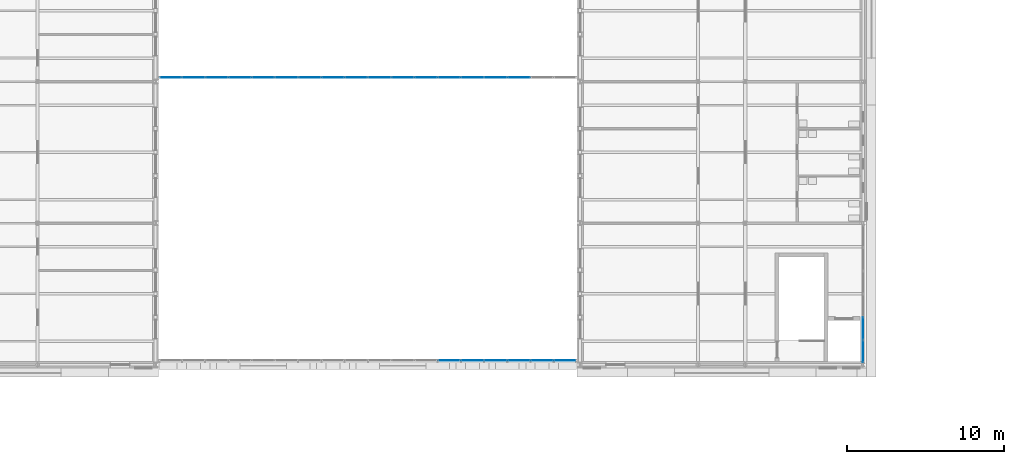
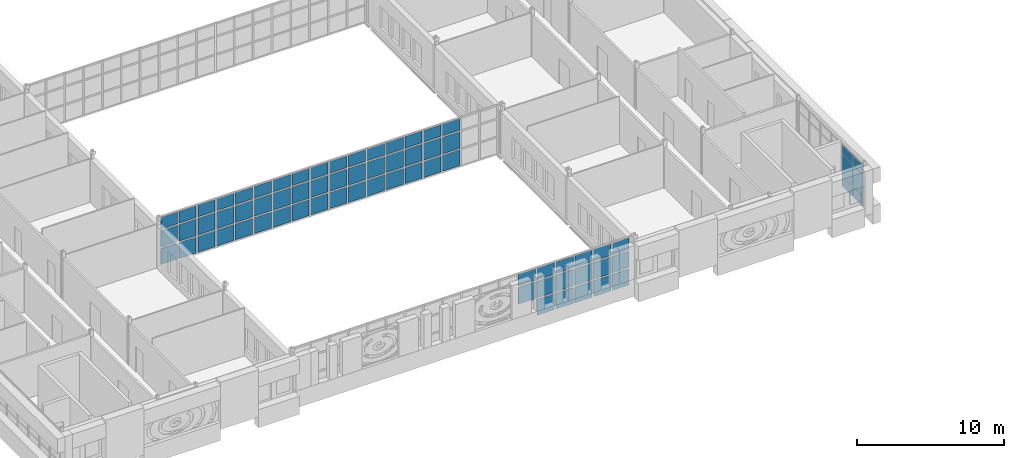
# One storey, part 89 of 154: 71 plates, 3 elements without a shape of their own.
"""IFC4 building model written with IfcOpenShell, lengths in metres."""

import ifcopenshell
import ifcopenshell.guid

model = None  # the IFC model being written
_history = None  # IfcOwnerHistory: only IFC2X3 demands one
_inside = {}  # id of a spatial element -> (the spatial element, [elements in it])
_under = {}  # id of a project, library or spatial element -> (it, [spatial elements below it])
_declared = {}  # id of a project -> (the project, [libraries it declares])
_typed = {}  # id of a type object -> (the type object, [elements of that type])
_made_of = {}  # id of a material, layer set ... -> (it, [elements and type objects made of it])


def new_model(schema):
    """Start an empty IFC model of exactly this schema.

    Asked for "IFC4X3", IfcOpenShell would pick the latest addendum, in which some entities
    have other attributes; the version numbers below select the first issue.
    IFC2X3 requires an IfcOwnerHistory on every rooted entity: one is made here for all.
    """
    global model, _history
    if schema == "IFC4X3":
        model = ifcopenshell.file(schema_version=(4, 3, 0, 0))
    else:
        model = ifcopenshell.file(schema=schema)
    _inside.clear()
    _under.clear()
    _declared.clear()
    _typed.clear()
    _made_of.clear()
    _history = None
    if model.schema == "IFC2X3":
        org = make("IfcOrganization", Name="unknown")
        user = make(
            "IfcPersonAndOrganization",
            ThePerson=make("IfcPerson", FamilyName="unknown"),
            TheOrganization=org,
        )
        app = make(
            "IfcApplication",
            ApplicationDeveloper=org,
            Version="unknown",
            ApplicationFullName="unknown",
            ApplicationIdentifier="unknown",
        )
        _history = make(
            "IfcOwnerHistory",
            OwningUser=user,
            OwningApplication=app,
            ChangeAction="ADDED",
            CreationDate=0,
        )
    return model


def make(cls, **values):
    """One entity of the class cls with the attributes given. An attribute that is None is left unset."""
    return model.create_entity(
        cls, **{name: value for name, value in values.items() if value is not None}
    )


def rooted(cls, **values):
    """An entity with a GlobalId (a new one), such as an element, a storey or a relation."""
    return make(cls, GlobalId=ifcopenshell.guid.new(), OwnerHistory=_history, **values)


def si_unit(unit_type, name, prefix=None):
    """IfcSIUnit, for example si_unit("LENGTHUNIT", "METRE", prefix="MILLI")."""
    return make("IfcSIUnit", UnitType=unit_type, Prefix=prefix, Name=name)


def assignment(units):
    """IfcUnitAssignment: the units of a project."""
    return None if units is None else make("IfcUnitAssignment", Units=units)


def point(xyz):
    """IfcCartesianPoint."""
    return None if xyz is None else make("IfcCartesianPoint", Coordinates=xyz)


def direction(xyz):
    """IfcDirection."""
    return None if xyz is None else make("IfcDirection", DirectionRatios=xyz)


def frame(location, z_axis=None, x_axis=None):
    """IfcAxis2Placement3D, a coordinate frame: its origin and axes. An axis left out is left unset."""
    return make(
        "IfcAxis2Placement3D",
        Location=point(location),
        Axis=direction(z_axis),
        RefDirection=direction(x_axis),
    )


def frame_2d(location, x_axis=None):
    """IfcAxis2Placement2D, a coordinate frame in the plane: its origin and x axis."""
    return make(
        "IfcAxis2Placement2D", Location=point(location), RefDirection=direction(x_axis)
    )


def origin():
    """The frame at (0, 0, 0) with its axes left unset."""
    return frame((0.0, 0.0, 0.0))


def origin_2d():
    """The frame at (0, 0) in the plane with its x axis left unset."""
    return frame_2d((0.0, 0.0))


def place(relative_to, where):
    """IfcLocalPlacement: puts the frame where relative to a parent placement (None: the world)."""
    return make(
        "IfcLocalPlacement", PlacementRelTo=relative_to, RelativePlacement=where
    )


def context(
    kind, dimensions, precision=None, world=None, true_north=None, identifier=None
):
    """IfcGeometricRepresentationContext, for example the 3D "Model" context."""
    return make(
        "IfcGeometricRepresentationContext",
        ContextIdentifier=identifier,
        ContextType=kind,
        CoordinateSpaceDimension=dimensions,
        Precision=precision,
        WorldCoordinateSystem=world,
        TrueNorth=true_north,
    )


def subcontext(parent, identifier, kind, view, scale=None):
    """IfcGeometricRepresentationSubContext, for example "Body" below "Model"."""
    return make(
        "IfcGeometricRepresentationSubContext",
        ContextIdentifier=identifier,
        ContextType=kind,
        ParentContext=parent,
        TargetScale=scale,
        TargetView=view,
    )


def project(units=None, contexts=None):
    """IfcProject with its units and contexts."""
    return rooted(
        "IfcProject",
        Name="project",
        RepresentationContexts=contexts,
        UnitsInContext=assignment(units),
    )


def spatial(cls, under=None, at=None, **own):
    """A site, building, storey or space (cls), placed at a placement, below another one or the project."""
    s = rooted(cls, ObjectPlacement=at, **own)
    if under is not None:
        _under.setdefault(under.id(), (under, []))[1].append(s)
    return s


def profile(cls, at=None, kind="AREA", **sizes):
    """A parametric profile (cls). Its sizes go by their IFC names, for example OverallWidth=200.0."""
    return make(cls, ProfileType=kind, Position=at, **sizes)


def rectangle(**sizes):
    """IfcRectangleProfileDef."""
    return profile("IfcRectangleProfileDef", **sizes)


def extrude(swept, where, along, depth):
    """IfcExtrudedAreaSolid: the profile swept, set in the frame where, extruded along a direction by depth."""
    return make(
        "IfcExtrudedAreaSolid",
        SweptArea=swept,
        Position=where,
        ExtrudedDirection=direction(along),
        Depth=depth,
    )


def shape(context_of_items, identifier, shape_type, items):
    """IfcShapeRepresentation: the items that make up one representation, for example the "Body"."""
    return make(
        "IfcShapeRepresentation",
        ContextOfItems=context_of_items,
        RepresentationIdentifier=identifier,
        RepresentationType=shape_type,
        Items=items,
    )


def material(Name=None, Category=None):
    """IfcMaterial."""
    return make("IfcMaterial", Name=Name, Category=Category)


def layer(
    of_material, thickness, ventilated=None, Name=None, Category=None, Priority=None
):
    """IfcMaterialLayer: one layer of a wall or slab, of a material (None: an air gap)."""
    return make(
        "IfcMaterialLayer",
        Material=of_material,
        LayerThickness=thickness,
        IsVentilated=ventilated,
        Name=Name,
        Category=Category,
        Priority=Priority,
    )


def layer_set(layers, Name=None):
    """IfcMaterialLayerSet."""
    return make("IfcMaterialLayerSet", MaterialLayers=layers, LayerSetName=Name)


def made_of(thing, what):
    """Note that an element or type object is made of a material, layer set ...; save() writes the relation."""
    if what is not None:
        _made_of.setdefault(what.id(), (what, []))[1].append(thing)
    return thing


def type_object(cls, material=None, **own):
    """A type object (cls), such as IfcWallType, which elements share."""
    return made_of(rooted(cls, **own), material)


def element(
    cls,
    number,
    at=None,
    inside=None,
    cuts=None,
    type_object=None,
    material=None,
    context=None,
    identifier="Body",
    shape_type=None,
    held_by="IfcProductDefinitionShape",
    body=None,
    shapes=None,
    **own,
):
    """One element of the class cls, such as IfcWall. Its Tag is "e" and its number.

    at: its placement. inside: the storey or other place that contains it. cuts: it is an
    opening in that element (IfcRelVoidsElement). A single representation is given by context,
    identifier, shape_type and body (its items); several are given by shapes. held_by: the class
    of the entity that holds the representations. save() writes the other relations.
    """
    e = rooted(cls, Tag="e%d" % number, ObjectPlacement=at, **own)
    if body is not None:
        shapes = [shape(context, identifier, shape_type, body)]
    if shapes is not None:
        e.Representation = make(held_by, Representations=shapes)
    if inside is not None:
        _inside.setdefault(inside.id(), (inside, []))[1].append(e)
    if cuts is not None:
        rooted(
            "IfcRelVoidsElement", RelatingBuildingElement=cuts, RelatedOpeningElement=e
        )
    if type_object is not None:
        _typed.setdefault(type_object.id(), (type_object, []))[1].append(e)
    return made_of(e, material)


def aggregate(whole, parts):
    """IfcRelAggregates: a whole, such as a stair, and the parts it consists of."""
    return rooted("IfcRelAggregates", RelatingObject=whole, RelatedObjects=parts)


def save(model, path):
    """Write the relations noted so far, then the file.

    IfcRelAggregates (storeys below a building ...), IfcRelContainedInSpatialStructure (elements
    in a storey), IfcRelDefinesByType, IfcRelAssociatesMaterial and IfcRelDeclares: one each for
    every whole, place, type object, material and project.
    """
    for whole, parts in _under.values():
        aggregate(whole, parts)
    for where, things in _inside.values():
        rooted(
            "IfcRelContainedInSpatialStructure",
            RelatedElements=things,
            RelatingStructure=where,
        )
    for kind, things in _typed.values():
        rooted("IfcRelDefinesByType", RelatedObjects=things, RelatingType=kind)
    for what, things in _made_of.values():
        rooted("IfcRelAssociatesMaterial", RelatedObjects=things, RelatingMaterial=what)
    for by, libraries in _declared.values():
        rooted("IfcRelDeclares", RelatingContext=by, RelatedDefinitions=libraries)
    model.write(path)


model = new_model("IFC4")

# Units and contexts
model_context = context("Model", 3, precision=1e-05, world=origin(), true_north=direction((0.0, 1.0)))
body_context = subcontext(model_context, "Body", "Model", "MODEL_VIEW")
ifc_project = project(units=[si_unit("LENGTHUNIT", "METRE"), si_unit("AREAUNIT", "SQUARE_METRE"), si_unit("VOLUMEUNIT", "CUBIC_METRE"), si_unit("PLANEANGLEUNIT", "RADIAN"), si_unit("MASSUNIT", "GRAM", prefix="KILO")], contexts=[model_context])

# Site, building, storey
site_placement = place(None, origin())
site = spatial("IfcSite", under=ifc_project, at=site_placement, CompositionType="ELEMENT")
building_placement = place(site_placement, origin())
building = spatial("IfcBuilding", under=site, at=building_placement, Name="Golden Quay Civic Hall", CompositionType="ELEMENT")
storey_placement = place(building_placement, frame((0.0, 0.0, 14.39990234375)))
storey = spatial("IfcBuildingStorey", under=building, at=storey_placement, Name="L03", CompositionType="ELEMENT", Elevation=14.39990234375)

# Curtain wall, plates
ifc_material_1 = material(Name="Glass, laminated double glazed", Category="glass")
ifc_layer_1 = layer(ifc_material_1, 0.199951171875)
ifc_layer_set_1 = layer_set([ifc_layer_1], Name="Glazed core strip curtain wall")
curtain_wall_type_1 = type_object("IfcCurtainWallType", Name="Glazed core strip curtain wall", PredefinedType="NOTDEFINED", material=ifc_layer_set_1)
curtain_wall_1_placement = place(storey_placement, origin())
curtain_wall_1 = element("IfcCurtainWall", 1, at=curtain_wall_1_placement, inside=storey, type_object=curtain_wall_type_1, Name="Glazed core strip curtain wall L03 4", PredefinedType="NOTDEFINED")
ifc_material_2 = material(Name="Glass, laminated double glazed", Category="glass")
ifc_layer_2 = layer(ifc_material_2, 0.028076171875)
ifc_layer_set_2 = layer_set([ifc_layer_2], Name="Double glazed curtain wall panel 28")
plate_type_1 = type_object("IfcPlateType", Name="Double glazed curtain wall panel 28", PredefinedType="CURTAIN_PANEL", material=ifc_layer_set_2)
plate_1_placement = place(storey_placement, frame((117.0, 2.297607421875, 0.06005859375), z_axis=(0.0, 0.0, 1.0), x_axis=(0.0, -1.0, 0.0)))
plate_1 = element("IfcPlate", 2, at=plate_1_placement, type_object=plate_type_1, Name="CW2 panel 5.1", PredefinedType="CURTAIN_PANEL", context=body_context, shape_type="SweptSolid", body=[
    extrude(rectangle(XDim=1.408447265625, YDim=0.028076171875, at=origin_2d()), origin(), (0.0, 0.0, 1.0), 0.81005859375),
])
plate_2_placement = place(storey_placement, frame((117.0, 2.297607421875, 0.93017578125), z_axis=(0.0, 0.0, 1.0), x_axis=(0.0, -1.0, 0.0)))
plate_2 = element("IfcPlate", 3, at=plate_2_placement, type_object=plate_type_1, Name="CW2 panel 5.2", PredefinedType="CURTAIN_PANEL", context=body_context, shape_type="SweptSolid", body=[
    extrude(rectangle(XDim=1.408447265625, YDim=0.028076171875, at=origin_2d()), origin(), (0.0, 0.0, 1.0), 1.739990234375),
])
plate_3_placement = place(storey_placement, frame((117.0, 2.297607421875, 2.72998046875), z_axis=(0.0, 0.0, 1.0), x_axis=(0.0, -1.0, 0.0)))
plate_3 = element("IfcPlate", 4, at=plate_3_placement, type_object=plate_type_1, Name="CW2 panel 5.3", PredefinedType="CURTAIN_PANEL", context=body_context, shape_type="SweptSolid", body=[
    extrude(rectangle(XDim=1.408447265625, YDim=0.028076171875, at=origin_2d()), origin(), (0.0, 0.0, 1.0), 0.760009765625),
])
plate_4_placement = place(storey_placement, frame((117.0, 0.84423828125, 0.06005859375), z_axis=(0.0, 0.0, 1.0), x_axis=(0.0, -1.0, 0.0)))
plate_4 = element("IfcPlate", 5, at=plate_4_placement, type_object=plate_type_1, Name="CW2 panel 6.1", PredefinedType="CURTAIN_PANEL", context=body_context, shape_type="SweptSolid", body=[
    extrude(rectangle(XDim=1.37841796875, YDim=0.028076171875, at=origin_2d()), origin(), (0.0, 0.0, 1.0), 0.81005859375),
])
plate_5_placement = place(storey_placement, frame((117.0, 0.84423828125, 0.93017578125), z_axis=(0.0, 0.0, 1.0), x_axis=(0.0, -1.0, 0.0)))
plate_5 = element("IfcPlate", 6, at=plate_5_placement, type_object=plate_type_1, Name="CW2 panel 6.2", PredefinedType="CURTAIN_PANEL", context=body_context, shape_type="SweptSolid", body=[
    extrude(rectangle(XDim=1.37841796875, YDim=0.028076171875, at=origin_2d()), origin(), (0.0, 0.0, 1.0), 1.739990234375),
])
plate_6_placement = place(storey_placement, frame((117.0, 0.84423828125, 2.72998046875), z_axis=(0.0, 0.0, 1.0), x_axis=(0.0, -1.0, 0.0)))
plate_6 = element("IfcPlate", 7, at=plate_6_placement, type_object=plate_type_1, Name="CW2 panel 6.3", PredefinedType="CURTAIN_PANEL", context=body_context, shape_type="SweptSolid", body=[
    extrude(rectangle(XDim=1.37841796875, YDim=0.028076171875, at=origin_2d()), origin(), (0.0, 0.0, 1.0), 0.760009765625),
])
aggregate(curtain_wall_1, [plate_1, plate_2, plate_3, plate_4, plate_5, plate_6])

ifc_material_3 = material(Name="Fire-resisting glass and steel", Category="steel")
curtain_wall_type_2 = type_object("IfcCurtainWallType", Name="Fire-resisting glazed curtain wall EI 120", PredefinedType="NOTDEFINED", material=ifc_material_3)
curtain_wall_2_placement = place(storey_placement, origin())
curtain_wall_2 = element("IfcCurtainWall", 8, at=curtain_wall_2_placement, inside=storey, type_object=curtain_wall_type_2, Name="CW3 curtain wall", PredefinedType="NOTDEFINED")
ifc_material_4 = material(Name="Fire-resisting laminated glass", Category="glass")
ifc_layer_3 = layer(ifc_material_4, 0.0400390625)
ifc_layer_set_3 = layer_set([ifc_layer_3], Name="Fire-resisting glazed panel 40")
plate_type_2 = type_object("IfcPlateType", Name="Fire-resisting glazed panel 40", PredefinedType="CURTAIN_PANEL", material=ifc_layer_set_3)
plate_7_placement = place(storey_placement, frame((72.968994140625, 18.27001953125, -0.080078125), z_axis=(0.0, 0.0, 1.0), x_axis=(1.0, 0.0, 0.0)))
plate_7 = element("IfcPlate", 9, at=plate_7_placement, type_object=plate_type_2, Name="CW3 panel 1.1", PredefinedType="CURTAIN_PANEL", context=body_context, shape_type="SweptSolid", body=[
    extrude(rectangle(XDim=1.2978515625, YDim=0.0400390625, at=origin_2d()), origin(), (0.0, 0.0, 1.0), 1.320068359375),
])
plate_8_placement = place(storey_placement, frame((72.968994140625, 18.27001953125, 1.360107421875), z_axis=(0.0, 0.0, 1.0), x_axis=(1.0, 0.0, 0.0)))
plate_8 = element("IfcPlate", 10, at=plate_8_placement, type_object=plate_type_2, Name="CW3 panel 1.2", PredefinedType="CURTAIN_PANEL", context=body_context, shape_type="SweptSolid", body=[
    extrude(rectangle(XDim=1.2978515625, YDim=0.0400390625, at=origin_2d()), origin(), (0.0, 0.0, 1.0), 1.3798828125),
])
plate_9_placement = place(storey_placement, frame((72.968994140625, 18.27001953125, 2.8603515625), z_axis=(0.0, 0.0, 1.0), x_axis=(1.0, 0.0, 0.0)))
plate_9 = element("IfcPlate", 11, at=plate_9_placement, type_object=plate_type_2, Name="CW3 panel 1.3", PredefinedType="CURTAIN_PANEL", context=body_context, shape_type="SweptSolid", body=[
    extrude(rectangle(XDim=1.2978515625, YDim=0.0400390625, at=origin_2d()), origin(), (0.0, 0.0, 1.0), 0.969970703125),
])
plate_10_placement = place(storey_placement, frame((74.416748046875, 18.27001953125, -0.080078125), z_axis=(0.0, 0.0, 1.0), x_axis=(1.0, 0.0, 0.0)))
plate_10 = element("IfcPlate", 12, at=plate_10_placement, type_object=plate_type_2, Name="CW3 panel 2.1", PredefinedType="CURTAIN_PANEL", context=body_context, shape_type="SweptSolid", body=[
    extrude(rectangle(XDim=1.357666015625, YDim=0.0400390625, at=origin_2d()), origin(), (0.0, 0.0, 1.0), 1.320068359375),
])
plate_11_placement = place(storey_placement, frame((74.416748046875, 18.27001953125, 1.360107421875), z_axis=(0.0, 0.0, 1.0), x_axis=(1.0, 0.0, 0.0)))
plate_11 = element("IfcPlate", 13, at=plate_11_placement, type_object=plate_type_2, Name="CW3 panel 2.2", PredefinedType="CURTAIN_PANEL", context=body_context, shape_type="SweptSolid", body=[
    extrude(rectangle(XDim=1.357666015625, YDim=0.0400390625, at=origin_2d()), origin(), (0.0, 0.0, 1.0), 1.3798828125),
])
plate_12_placement = place(storey_placement, frame((74.416748046875, 18.27001953125, 2.8603515625), z_axis=(0.0, 0.0, 1.0), x_axis=(1.0, 0.0, 0.0)))
plate_12 = element("IfcPlate", 14, at=plate_12_placement, type_object=plate_type_2, Name="CW3 panel 2.3", PredefinedType="CURTAIN_PANEL", context=body_context, shape_type="SweptSolid", body=[
    extrude(rectangle(XDim=1.357666015625, YDim=0.0400390625, at=origin_2d()), origin(), (0.0, 0.0, 1.0), 0.969970703125),
])
plate_13_placement = place(storey_placement, frame((75.89453125, 18.27001953125, -0.080078125), z_axis=(0.0, 0.0, 1.0), x_axis=(1.0, 0.0, 0.0)))
plate_13 = element("IfcPlate", 15, at=plate_13_placement, type_object=plate_type_2, Name="CW3 panel 3.1", PredefinedType="CURTAIN_PANEL", context=body_context, shape_type="SweptSolid", body=[
    extrude(rectangle(XDim=1.357666015625, YDim=0.0400390625, at=origin_2d()), origin(), (0.0, 0.0, 1.0), 1.320068359375),
])
plate_14_placement = place(storey_placement, frame((75.89453125, 18.27001953125, 1.360107421875), z_axis=(0.0, 0.0, 1.0), x_axis=(1.0, 0.0, 0.0)))
plate_14 = element("IfcPlate", 16, at=plate_14_placement, type_object=plate_type_2, Name="CW3 panel 3.2", PredefinedType="CURTAIN_PANEL", context=body_context, shape_type="SweptSolid", body=[
    extrude(rectangle(XDim=1.357666015625, YDim=0.0400390625, at=origin_2d()), origin(), (0.0, 0.0, 1.0), 1.3798828125),
])
plate_15_placement = place(storey_placement, frame((75.89453125, 18.27001953125, 2.8603515625), z_axis=(0.0, 0.0, 1.0), x_axis=(1.0, 0.0, 0.0)))
plate_15 = element("IfcPlate", 17, at=plate_15_placement, type_object=plate_type_2, Name="CW3 panel 3.3", PredefinedType="CURTAIN_PANEL", context=body_context, shape_type="SweptSolid", body=[
    extrude(rectangle(XDim=1.357666015625, YDim=0.0400390625, at=origin_2d()), origin(), (0.0, 0.0, 1.0), 0.969970703125),
])
plate_16_placement = place(storey_placement, frame((77.372314453125, 18.27001953125, -0.080078125), z_axis=(0.0, 0.0, 1.0), x_axis=(1.0, 0.0, 0.0)))
plate_16 = element("IfcPlate", 18, at=plate_16_placement, type_object=plate_type_2, Name="CW3 panel 4.1", PredefinedType="CURTAIN_PANEL", context=body_context, shape_type="SweptSolid", body=[
    extrude(rectangle(XDim=1.357666015625, YDim=0.0400390625, at=origin_2d()), origin(), (0.0, 0.0, 1.0), 1.320068359375),
])
plate_17_placement = place(storey_placement, frame((77.372314453125, 18.27001953125, 1.360107421875), z_axis=(0.0, 0.0, 1.0), x_axis=(1.0, 0.0, 0.0)))
plate_17 = element("IfcPlate", 19, at=plate_17_placement, type_object=plate_type_2, Name="CW3 panel 4.2", PredefinedType="CURTAIN_PANEL", context=body_context, shape_type="SweptSolid", body=[
    extrude(rectangle(XDim=1.357666015625, YDim=0.0400390625, at=origin_2d()), origin(), (0.0, 0.0, 1.0), 1.3798828125),
])
plate_18_placement = place(storey_placement, frame((77.372314453125, 18.27001953125, 2.8603515625), z_axis=(0.0, 0.0, 1.0), x_axis=(1.0, 0.0, 0.0)))
plate_18 = element("IfcPlate", 20, at=plate_18_placement, type_object=plate_type_2, Name="CW3 panel 4.3", PredefinedType="CURTAIN_PANEL", context=body_context, shape_type="SweptSolid", body=[
    extrude(rectangle(XDim=1.357666015625, YDim=0.0400390625, at=origin_2d()), origin(), (0.0, 0.0, 1.0), 0.969970703125),
])
plate_19_placement = place(storey_placement, frame((78.85009765625, 18.27001953125, -0.080078125), z_axis=(0.0, 0.0, 1.0), x_axis=(1.0, 0.0, 0.0)))
plate_19 = element("IfcPlate", 21, at=plate_19_placement, type_object=plate_type_2, Name="CW3 panel 5.1", PredefinedType="CURTAIN_PANEL", context=body_context, shape_type="SweptSolid", body=[
    extrude(rectangle(XDim=1.357666015625, YDim=0.0400390625, at=origin_2d()), origin(), (0.0, 0.0, 1.0), 1.320068359375),
])
plate_20_placement = place(storey_placement, frame((78.85009765625, 18.27001953125, 1.360107421875), z_axis=(0.0, 0.0, 1.0), x_axis=(1.0, 0.0, 0.0)))
plate_20 = element("IfcPlate", 22, at=plate_20_placement, type_object=plate_type_2, Name="CW3 panel 5.2", PredefinedType="CURTAIN_PANEL", context=body_context, shape_type="SweptSolid", body=[
    extrude(rectangle(XDim=1.357666015625, YDim=0.0400390625, at=origin_2d()), origin(), (0.0, 0.0, 1.0), 1.3798828125),
])
plate_21_placement = place(storey_placement, frame((78.85009765625, 18.27001953125, 2.8603515625), z_axis=(0.0, 0.0, 1.0), x_axis=(1.0, 0.0, 0.0)))
plate_21 = element("IfcPlate", 23, at=plate_21_placement, type_object=plate_type_2, Name="CW3 panel 5.3", PredefinedType="CURTAIN_PANEL", context=body_context, shape_type="SweptSolid", body=[
    extrude(rectangle(XDim=1.357666015625, YDim=0.0400390625, at=origin_2d()), origin(), (0.0, 0.0, 1.0), 0.969970703125),
])
plate_22_placement = place(storey_placement, frame((80.327880859375, 18.27001953125, -0.080078125), z_axis=(0.0, 0.0, 1.0), x_axis=(1.0, 0.0, 0.0)))
plate_22 = element("IfcPlate", 24, at=plate_22_placement, type_object=plate_type_2, Name="CW3 panel 6.1", PredefinedType="CURTAIN_PANEL", context=body_context, shape_type="SweptSolid", body=[
    extrude(rectangle(XDim=1.357666015625, YDim=0.0400390625, at=origin_2d()), origin(), (0.0, 0.0, 1.0), 1.320068359375),
])
plate_23_placement = place(storey_placement, frame((80.327880859375, 18.27001953125, 1.360107421875), z_axis=(0.0, 0.0, 1.0), x_axis=(1.0, 0.0, 0.0)))
plate_23 = element("IfcPlate", 25, at=plate_23_placement, type_object=plate_type_2, Name="CW3 panel 6.2", PredefinedType="CURTAIN_PANEL", context=body_context, shape_type="SweptSolid", body=[
    extrude(rectangle(XDim=1.357666015625, YDim=0.0400390625, at=origin_2d()), origin(), (0.0, 0.0, 1.0), 1.3798828125),
])
plate_24_placement = place(storey_placement, frame((80.327880859375, 18.27001953125, 2.8603515625), z_axis=(0.0, 0.0, 1.0), x_axis=(1.0, 0.0, 0.0)))
plate_24 = element("IfcPlate", 26, at=plate_24_placement, type_object=plate_type_2, Name="CW3 panel 6.3", PredefinedType="CURTAIN_PANEL", context=body_context, shape_type="SweptSolid", body=[
    extrude(rectangle(XDim=1.357666015625, YDim=0.0400390625, at=origin_2d()), origin(), (0.0, 0.0, 1.0), 0.969970703125),
])
plate_25_placement = place(storey_placement, frame((81.8056640625, 18.27001953125, -0.080078125), z_axis=(0.0, 0.0, 1.0), x_axis=(1.0, 0.0, 0.0)))
plate_25 = element("IfcPlate", 27, at=plate_25_placement, type_object=plate_type_2, Name="CW3 panel 7.1", PredefinedType="CURTAIN_PANEL", context=body_context, shape_type="SweptSolid", body=[
    extrude(rectangle(XDim=1.357666015625, YDim=0.0400390625, at=origin_2d()), origin(), (0.0, 0.0, 1.0), 1.320068359375),
])
plate_26_placement = place(storey_placement, frame((81.8056640625, 18.27001953125, 1.360107421875), z_axis=(0.0, 0.0, 1.0), x_axis=(1.0, 0.0, 0.0)))
plate_26 = element("IfcPlate", 28, at=plate_26_placement, type_object=plate_type_2, Name="CW3 panel 7.2", PredefinedType="CURTAIN_PANEL", context=body_context, shape_type="SweptSolid", body=[
    extrude(rectangle(XDim=1.357666015625, YDim=0.0400390625, at=origin_2d()), origin(), (0.0, 0.0, 1.0), 1.3798828125),
])
plate_27_placement = place(storey_placement, frame((81.8056640625, 18.27001953125, 2.8603515625), z_axis=(0.0, 0.0, 1.0), x_axis=(1.0, 0.0, 0.0)))
plate_27 = element("IfcPlate", 29, at=plate_27_placement, type_object=plate_type_2, Name="CW3 panel 7.3", PredefinedType="CURTAIN_PANEL", context=body_context, shape_type="SweptSolid", body=[
    extrude(rectangle(XDim=1.357666015625, YDim=0.0400390625, at=origin_2d()), origin(), (0.0, 0.0, 1.0), 0.969970703125),
])
plate_28_placement = place(storey_placement, frame((83.283447265625, 18.27001953125, -0.080078125), z_axis=(0.0, 0.0, 1.0), x_axis=(1.0, 0.0, 0.0)))
plate_28 = element("IfcPlate", 30, at=plate_28_placement, type_object=plate_type_2, Name="CW3 panel 8.1", PredefinedType="CURTAIN_PANEL", context=body_context, shape_type="SweptSolid", body=[
    extrude(rectangle(XDim=1.357666015625, YDim=0.0400390625, at=origin_2d()), origin(), (0.0, 0.0, 1.0), 1.320068359375),
])
plate_29_placement = place(storey_placement, frame((83.283447265625, 18.27001953125, 1.360107421875), z_axis=(0.0, 0.0, 1.0), x_axis=(1.0, 0.0, 0.0)))
plate_29 = element("IfcPlate", 31, at=plate_29_placement, type_object=plate_type_2, Name="CW3 panel 8.2", PredefinedType="CURTAIN_PANEL", context=body_context, shape_type="SweptSolid", body=[
    extrude(rectangle(XDim=1.357666015625, YDim=0.0400390625, at=origin_2d()), origin(), (0.0, 0.0, 1.0), 1.3798828125),
])
plate_30_placement = place(storey_placement, frame((83.283447265625, 18.27001953125, 2.8603515625), z_axis=(0.0, 0.0, 1.0), x_axis=(1.0, 0.0, 0.0)))
plate_30 = element("IfcPlate", 32, at=plate_30_placement, type_object=plate_type_2, Name="CW3 panel 8.3", PredefinedType="CURTAIN_PANEL", context=body_context, shape_type="SweptSolid", body=[
    extrude(rectangle(XDim=1.357666015625, YDim=0.0400390625, at=origin_2d()), origin(), (0.0, 0.0, 1.0), 0.969970703125),
])
plate_31_placement = place(storey_placement, frame((84.76123046875, 18.27001953125, -0.080078125), z_axis=(0.0, 0.0, 1.0), x_axis=(1.0, 0.0, 0.0)))
plate_31 = element("IfcPlate", 33, at=plate_31_placement, type_object=plate_type_2, Name="CW3 panel 9.1", PredefinedType="CURTAIN_PANEL", context=body_context, shape_type="SweptSolid", body=[
    extrude(rectangle(XDim=1.357666015625, YDim=0.0400390625, at=origin_2d()), origin(), (0.0, 0.0, 1.0), 1.320068359375),
])
plate_32_placement = place(storey_placement, frame((84.76123046875, 18.27001953125, 1.360107421875), z_axis=(0.0, 0.0, 1.0), x_axis=(1.0, 0.0, 0.0)))
plate_32 = element("IfcPlate", 34, at=plate_32_placement, type_object=plate_type_2, Name="CW3 panel 9.2", PredefinedType="CURTAIN_PANEL", context=body_context, shape_type="SweptSolid", body=[
    extrude(rectangle(XDim=1.357666015625, YDim=0.0400390625, at=origin_2d()), origin(), (0.0, 0.0, 1.0), 1.3798828125),
])
plate_33_placement = place(storey_placement, frame((84.76123046875, 18.27001953125, 2.8603515625), z_axis=(0.0, 0.0, 1.0), x_axis=(1.0, 0.0, 0.0)))
plate_33 = element("IfcPlate", 35, at=plate_33_placement, type_object=plate_type_2, Name="CW3 panel 9.3", PredefinedType="CURTAIN_PANEL", context=body_context, shape_type="SweptSolid", body=[
    extrude(rectangle(XDim=1.357666015625, YDim=0.0400390625, at=origin_2d()), origin(), (0.0, 0.0, 1.0), 0.969970703125),
])
plate_34_placement = place(storey_placement, frame((86.23876953125, 18.27001953125, -0.080078125), z_axis=(0.0, 0.0, 1.0), x_axis=(1.0, 0.0, 0.0)))
plate_34 = element("IfcPlate", 36, at=plate_34_placement, type_object=plate_type_2, Name="CW3 panel 10.1", PredefinedType="CURTAIN_PANEL", context=body_context, shape_type="SweptSolid", body=[
    extrude(rectangle(XDim=1.357666015625, YDim=0.0400390625, at=origin_2d()), origin(), (0.0, 0.0, 1.0), 1.320068359375),
])
plate_35_placement = place(storey_placement, frame((86.23876953125, 18.27001953125, 1.360107421875), z_axis=(0.0, 0.0, 1.0), x_axis=(1.0, 0.0, 0.0)))
plate_35 = element("IfcPlate", 37, at=plate_35_placement, type_object=plate_type_2, Name="CW3 panel 10.2", PredefinedType="CURTAIN_PANEL", context=body_context, shape_type="SweptSolid", body=[
    extrude(rectangle(XDim=1.357666015625, YDim=0.0400390625, at=origin_2d()), origin(), (0.0, 0.0, 1.0), 1.3798828125),
])
plate_36_placement = place(storey_placement, frame((86.23876953125, 18.27001953125, 2.8603515625), z_axis=(0.0, 0.0, 1.0), x_axis=(1.0, 0.0, 0.0)))
plate_36 = element("IfcPlate", 38, at=plate_36_placement, type_object=plate_type_2, Name="CW3 panel 10.3", PredefinedType="CURTAIN_PANEL", context=body_context, shape_type="SweptSolid", body=[
    extrude(rectangle(XDim=1.357666015625, YDim=0.0400390625, at=origin_2d()), origin(), (0.0, 0.0, 1.0), 0.969970703125),
])
plate_37_placement = place(storey_placement, frame((87.716552734375, 18.27001953125, -0.080078125), z_axis=(0.0, 0.0, 1.0), x_axis=(1.0, 0.0, 0.0)))
plate_37 = element("IfcPlate", 39, at=plate_37_placement, type_object=plate_type_2, Name="CW3 panel 11.1", PredefinedType="CURTAIN_PANEL", context=body_context, shape_type="SweptSolid", body=[
    extrude(rectangle(XDim=1.357666015625, YDim=0.0400390625, at=origin_2d()), origin(), (0.0, 0.0, 1.0), 1.320068359375),
])
plate_38_placement = place(storey_placement, frame((87.716552734375, 18.27001953125, 1.360107421875), z_axis=(0.0, 0.0, 1.0), x_axis=(1.0, 0.0, 0.0)))
plate_38 = element("IfcPlate", 40, at=plate_38_placement, type_object=plate_type_2, Name="CW3 panel 11.2", PredefinedType="CURTAIN_PANEL", context=body_context, shape_type="SweptSolid", body=[
    extrude(rectangle(XDim=1.357666015625, YDim=0.0400390625, at=origin_2d()), origin(), (0.0, 0.0, 1.0), 1.3798828125),
])
plate_39_placement = place(storey_placement, frame((87.716552734375, 18.27001953125, 2.8603515625), z_axis=(0.0, 0.0, 1.0), x_axis=(1.0, 0.0, 0.0)))
plate_39 = element("IfcPlate", 41, at=plate_39_placement, type_object=plate_type_2, Name="CW3 panel 11.3", PredefinedType="CURTAIN_PANEL", context=body_context, shape_type="SweptSolid", body=[
    extrude(rectangle(XDim=1.357666015625, YDim=0.0400390625, at=origin_2d()), origin(), (0.0, 0.0, 1.0), 0.969970703125),
])
plate_40_placement = place(storey_placement, frame((89.1943359375, 18.27001953125, -0.080078125), z_axis=(0.0, 0.0, 1.0), x_axis=(1.0, 0.0, 0.0)))
plate_40 = element("IfcPlate", 42, at=plate_40_placement, type_object=plate_type_2, Name="CW3 panel 12.1", PredefinedType="CURTAIN_PANEL", context=body_context, shape_type="SweptSolid", body=[
    extrude(rectangle(XDim=1.357666015625, YDim=0.0400390625, at=origin_2d()), origin(), (0.0, 0.0, 1.0), 1.320068359375),
])
plate_41_placement = place(storey_placement, frame((89.1943359375, 18.27001953125, 1.360107421875), z_axis=(0.0, 0.0, 1.0), x_axis=(1.0, 0.0, 0.0)))
plate_41 = element("IfcPlate", 43, at=plate_41_placement, type_object=plate_type_2, Name="CW3 panel 12.2", PredefinedType="CURTAIN_PANEL", context=body_context, shape_type="SweptSolid", body=[
    extrude(rectangle(XDim=1.357666015625, YDim=0.0400390625, at=origin_2d()), origin(), (0.0, 0.0, 1.0), 1.3798828125),
])
plate_42_placement = place(storey_placement, frame((89.1943359375, 18.27001953125, 2.8603515625), z_axis=(0.0, 0.0, 1.0), x_axis=(1.0, 0.0, 0.0)))
plate_42 = element("IfcPlate", 44, at=plate_42_placement, type_object=plate_type_2, Name="CW3 panel 12.3", PredefinedType="CURTAIN_PANEL", context=body_context, shape_type="SweptSolid", body=[
    extrude(rectangle(XDim=1.357666015625, YDim=0.0400390625, at=origin_2d()), origin(), (0.0, 0.0, 1.0), 0.969970703125),
])
plate_43_placement = place(storey_placement, frame((90.672119140625, 18.27001953125, -0.080078125), z_axis=(0.0, 0.0, 1.0), x_axis=(1.0, 0.0, 0.0)))
plate_43 = element("IfcPlate", 45, at=plate_43_placement, type_object=plate_type_2, Name="CW3 panel 13.1", PredefinedType="CURTAIN_PANEL", context=body_context, shape_type="SweptSolid", body=[
    extrude(rectangle(XDim=1.357666015625, YDim=0.0400390625, at=origin_2d()), origin(), (0.0, 0.0, 1.0), 1.320068359375),
])
plate_44_placement = place(storey_placement, frame((90.672119140625, 18.27001953125, 1.360107421875), z_axis=(0.0, 0.0, 1.0), x_axis=(1.0, 0.0, 0.0)))
plate_44 = element("IfcPlate", 46, at=plate_44_placement, type_object=plate_type_2, Name="CW3 panel 13.2", PredefinedType="CURTAIN_PANEL", context=body_context, shape_type="SweptSolid", body=[
    extrude(rectangle(XDim=1.357666015625, YDim=0.0400390625, at=origin_2d()), origin(), (0.0, 0.0, 1.0), 1.3798828125),
])
plate_45_placement = place(storey_placement, frame((90.672119140625, 18.27001953125, 2.8603515625), z_axis=(0.0, 0.0, 1.0), x_axis=(1.0, 0.0, 0.0)))
plate_45 = element("IfcPlate", 47, at=plate_45_placement, type_object=plate_type_2, Name="CW3 panel 13.3", PredefinedType="CURTAIN_PANEL", context=body_context, shape_type="SweptSolid", body=[
    extrude(rectangle(XDim=1.357666015625, YDim=0.0400390625, at=origin_2d()), origin(), (0.0, 0.0, 1.0), 0.969970703125),
])
plate_46_placement = place(storey_placement, frame((92.14990234375, 18.27001953125, -0.080078125), z_axis=(0.0, 0.0, 1.0), x_axis=(1.0, 0.0, 0.0)))
plate_46 = element("IfcPlate", 48, at=plate_46_placement, type_object=plate_type_2, Name="CW3 panel 14.1", PredefinedType="CURTAIN_PANEL", context=body_context, shape_type="SweptSolid", body=[
    extrude(rectangle(XDim=1.357666015625, YDim=0.0400390625, at=origin_2d()), origin(), (0.0, 0.0, 1.0), 1.320068359375),
])
plate_47_placement = place(storey_placement, frame((92.14990234375, 18.27001953125, 1.360107421875), z_axis=(0.0, 0.0, 1.0), x_axis=(1.0, 0.0, 0.0)))
plate_47 = element("IfcPlate", 49, at=plate_47_placement, type_object=plate_type_2, Name="CW3 panel 14.2", PredefinedType="CURTAIN_PANEL", context=body_context, shape_type="SweptSolid", body=[
    extrude(rectangle(XDim=1.357666015625, YDim=0.0400390625, at=origin_2d()), origin(), (0.0, 0.0, 1.0), 1.3798828125),
])
plate_48_placement = place(storey_placement, frame((92.14990234375, 18.27001953125, 2.8603515625), z_axis=(0.0, 0.0, 1.0), x_axis=(1.0, 0.0, 0.0)))
plate_48 = element("IfcPlate", 50, at=plate_48_placement, type_object=plate_type_2, Name="CW3 panel 14.3", PredefinedType="CURTAIN_PANEL", context=body_context, shape_type="SweptSolid", body=[
    extrude(rectangle(XDim=1.357666015625, YDim=0.0400390625, at=origin_2d()), origin(), (0.0, 0.0, 1.0), 0.969970703125),
])
plate_49_placement = place(storey_placement, frame((93.627685546875, 18.27001953125, -0.080078125), z_axis=(0.0, 0.0, 1.0), x_axis=(1.0, 0.0, 0.0)))
plate_49 = element("IfcPlate", 51, at=plate_49_placement, type_object=plate_type_2, Name="CW3 panel 15.1", PredefinedType="CURTAIN_PANEL", context=body_context, shape_type="SweptSolid", body=[
    extrude(rectangle(XDim=1.357666015625, YDim=0.0400390625, at=origin_2d()), origin(), (0.0, 0.0, 1.0), 1.320068359375),
])
plate_50_placement = place(storey_placement, frame((93.627685546875, 18.27001953125, 1.360107421875), z_axis=(0.0, 0.0, 1.0), x_axis=(1.0, 0.0, 0.0)))
plate_50 = element("IfcPlate", 52, at=plate_50_placement, type_object=plate_type_2, Name="CW3 panel 15.2", PredefinedType="CURTAIN_PANEL", context=body_context, shape_type="SweptSolid", body=[
    extrude(rectangle(XDim=1.357666015625, YDim=0.0400390625, at=origin_2d()), origin(), (0.0, 0.0, 1.0), 1.3798828125),
])
plate_51_placement = place(storey_placement, frame((93.627685546875, 18.27001953125, 2.8603515625), z_axis=(0.0, 0.0, 1.0), x_axis=(1.0, 0.0, 0.0)))
plate_51 = element("IfcPlate", 53, at=plate_51_placement, type_object=plate_type_2, Name="CW3 panel 15.3", PredefinedType="CURTAIN_PANEL", context=body_context, shape_type="SweptSolid", body=[
    extrude(rectangle(XDim=1.357666015625, YDim=0.0400390625, at=origin_2d()), origin(), (0.0, 0.0, 1.0), 0.969970703125),
])
plate_52_placement = place(storey_placement, frame((95.10546875, 18.27001953125, -0.080078125), z_axis=(0.0, 0.0, 1.0), x_axis=(1.0, 0.0, 0.0)))
plate_52 = element("IfcPlate", 54, at=plate_52_placement, type_object=plate_type_2, Name="CW3 panel 16.1", PredefinedType="CURTAIN_PANEL", context=body_context, shape_type="SweptSolid", body=[
    extrude(rectangle(XDim=1.357666015625, YDim=0.0400390625, at=origin_2d()), origin(), (0.0, 0.0, 1.0), 1.320068359375),
])
plate_53_placement = place(storey_placement, frame((95.10546875, 18.27001953125, 1.360107421875), z_axis=(0.0, 0.0, 1.0), x_axis=(1.0, 0.0, 0.0)))
plate_53 = element("IfcPlate", 55, at=plate_53_placement, type_object=plate_type_2, Name="CW3 panel 16.2", PredefinedType="CURTAIN_PANEL", context=body_context, shape_type="SweptSolid", body=[
    extrude(rectangle(XDim=1.357666015625, YDim=0.0400390625, at=origin_2d()), origin(), (0.0, 0.0, 1.0), 1.3798828125),
])
plate_54_placement = place(storey_placement, frame((95.10546875, 18.27001953125, 2.8603515625), z_axis=(0.0, 0.0, 1.0), x_axis=(1.0, 0.0, 0.0)))
plate_54 = element("IfcPlate", 56, at=plate_54_placement, type_object=plate_type_2, Name="CW3 panel 16.3", PredefinedType="CURTAIN_PANEL", context=body_context, shape_type="SweptSolid", body=[
    extrude(rectangle(XDim=1.357666015625, YDim=0.0400390625, at=origin_2d()), origin(), (0.0, 0.0, 1.0), 0.969970703125),
])
aggregate(curtain_wall_2, [plate_7, plate_8, plate_9, plate_10, plate_11, plate_12, plate_13, plate_14, plate_15, plate_16, plate_17, plate_18, plate_19, plate_20, plate_21, plate_22, plate_23, plate_24, plate_25, plate_26, plate_27, plate_28, plate_29, plate_30, plate_31, plate_32, plate_33, plate_34, plate_35, plate_36, plate_37, plate_38, plate_39, plate_40, plate_41, plate_42, plate_43, plate_44, plate_45, plate_46, plate_47, plate_48, plate_49, plate_50, plate_51, plate_52, plate_53, plate_54])

ifc_material_5 = material(Name="Glass and aluminium", Category="aluminium")
curtain_wall_type_3 = type_object("IfcCurtainWallType", Name="Glazed curtain wall 1500 module", PredefinedType="NOTDEFINED", material=ifc_material_5)
curtain_wall_3_placement = place(storey_placement, origin())
curtain_wall_3 = element("IfcCurtainWall", 57, at=curtain_wall_3_placement, inside=storey, type_object=curtain_wall_type_3, Name="CW1 curtain wall", PredefinedType="NOTDEFINED")
ifc_material_6 = material(Name="Laminated glass", Category="glass")
ifc_layer_4 = layer(ifc_material_6, 0.028076171875)
ifc_layer_set_4 = layer_set([ifc_layer_4], Name="Laminated glass panel 28")
plate_type_3 = type_object("IfcPlateType", Name="Laminated glass panel 28", PredefinedType="CURTAIN_PANEL", material=ifc_layer_set_4)
plate_55_placement = place(storey_placement, frame((90.672119140625, 0.27001953125, 1.360107421875), z_axis=(0.0, 0.0, 1.0), x_axis=(1.0, 0.0, 0.0)))
plate_55 = element("IfcPlate", 58, at=plate_55_placement, type_object=plate_type_3, Name="CW1 panel 13.2", PredefinedType="CURTAIN_PANEL", context=body_context, shape_type="SweptSolid", body=[
    extrude(rectangle(XDim=1.357666015625, YDim=0.028076171875, at=origin_2d()), origin(), (0.0, 0.0, 1.0), 1.3798828125),
])
plate_56_placement = place(storey_placement, frame((90.672119140625, 0.27001953125, 2.8603515625), z_axis=(0.0, 0.0, 1.0), x_axis=(1.0, 0.0, 0.0)))
plate_56 = element("IfcPlate", 59, at=plate_56_placement, type_object=plate_type_3, Name="CW1 panel 13.3", PredefinedType="CURTAIN_PANEL", context=body_context, shape_type="SweptSolid", body=[
    extrude(rectangle(XDim=1.357666015625, YDim=0.028076171875, at=origin_2d()), origin(), (0.0, 0.0, 1.0), 0.969970703125),
])
plate_57_placement = place(storey_placement, frame((92.14990234375, 0.27001953125, -0.080078125), z_axis=(0.0, 0.0, 1.0), x_axis=(1.0, 0.0, 0.0)))
plate_57 = element("IfcPlate", 60, at=plate_57_placement, type_object=plate_type_3, Name="CW1 panel 14.1", PredefinedType="CURTAIN_PANEL", context=body_context, shape_type="SweptSolid", body=[
    extrude(rectangle(XDim=1.357666015625, YDim=0.028076171875, at=origin_2d()), origin(), (0.0, 0.0, 1.0), 1.320068359375),
])
plate_58_placement = place(storey_placement, frame((92.14990234375, 0.27001953125, 1.360107421875), z_axis=(0.0, 0.0, 1.0), x_axis=(1.0, 0.0, 0.0)))
plate_58 = element("IfcPlate", 61, at=plate_58_placement, type_object=plate_type_3, Name="CW1 panel 14.2", PredefinedType="CURTAIN_PANEL", context=body_context, shape_type="SweptSolid", body=[
    extrude(rectangle(XDim=1.357666015625, YDim=0.028076171875, at=origin_2d()), origin(), (0.0, 0.0, 1.0), 1.3798828125),
])
plate_59_placement = place(storey_placement, frame((92.14990234375, 0.27001953125, 2.8603515625), z_axis=(0.0, 0.0, 1.0), x_axis=(1.0, 0.0, 0.0)))
plate_59 = element("IfcPlate", 62, at=plate_59_placement, type_object=plate_type_3, Name="CW1 panel 14.3", PredefinedType="CURTAIN_PANEL", context=body_context, shape_type="SweptSolid", body=[
    extrude(rectangle(XDim=1.357666015625, YDim=0.028076171875, at=origin_2d()), origin(), (0.0, 0.0, 1.0), 0.969970703125),
])
plate_60_placement = place(storey_placement, frame((93.627685546875, 0.27001953125, -0.080078125), z_axis=(0.0, 0.0, 1.0), x_axis=(1.0, 0.0, 0.0)))
plate_60 = element("IfcPlate", 63, at=plate_60_placement, type_object=plate_type_3, Name="CW1 panel 15.1", PredefinedType="CURTAIN_PANEL", context=body_context, shape_type="SweptSolid", body=[
    extrude(rectangle(XDim=1.357666015625, YDim=0.028076171875, at=origin_2d()), origin(), (0.0, 0.0, 1.0), 1.320068359375),
])
plate_61_placement = place(storey_placement, frame((93.627685546875, 0.27001953125, 1.360107421875), z_axis=(0.0, 0.0, 1.0), x_axis=(1.0, 0.0, 0.0)))
plate_61 = element("IfcPlate", 64, at=plate_61_placement, type_object=plate_type_3, Name="CW1 panel 15.2", PredefinedType="CURTAIN_PANEL", context=body_context, shape_type="SweptSolid", body=[
    extrude(rectangle(XDim=1.357666015625, YDim=0.028076171875, at=origin_2d()), origin(), (0.0, 0.0, 1.0), 1.3798828125),
])
plate_62_placement = place(storey_placement, frame((93.627685546875, 0.27001953125, 2.8603515625), z_axis=(0.0, 0.0, 1.0), x_axis=(1.0, 0.0, 0.0)))
plate_62 = element("IfcPlate", 65, at=plate_62_placement, type_object=plate_type_3, Name="CW1 panel 15.3", PredefinedType="CURTAIN_PANEL", context=body_context, shape_type="SweptSolid", body=[
    extrude(rectangle(XDim=1.357666015625, YDim=0.028076171875, at=origin_2d()), origin(), (0.0, 0.0, 1.0), 0.969970703125),
])
plate_63_placement = place(storey_placement, frame((95.10546875, 0.27001953125, -0.080078125), z_axis=(0.0, 0.0, 1.0), x_axis=(1.0, 0.0, 0.0)))
plate_63 = element("IfcPlate", 66, at=plate_63_placement, type_object=plate_type_3, Name="CW1 panel 16.1", PredefinedType="CURTAIN_PANEL", context=body_context, shape_type="SweptSolid", body=[
    extrude(rectangle(XDim=1.357666015625, YDim=0.028076171875, at=origin_2d()), origin(), (0.0, 0.0, 1.0), 1.320068359375),
])
plate_64_placement = place(storey_placement, frame((95.10546875, 0.27001953125, 1.360107421875), z_axis=(0.0, 0.0, 1.0), x_axis=(1.0, 0.0, 0.0)))
plate_64 = element("IfcPlate", 67, at=plate_64_placement, type_object=plate_type_3, Name="CW1 panel 16.2", PredefinedType="CURTAIN_PANEL", context=body_context, shape_type="SweptSolid", body=[
    extrude(rectangle(XDim=1.357666015625, YDim=0.028076171875, at=origin_2d()), origin(), (0.0, 0.0, 1.0), 1.3798828125),
])
plate_65_placement = place(storey_placement, frame((95.10546875, 0.27001953125, 2.8603515625), z_axis=(0.0, 0.0, 1.0), x_axis=(1.0, 0.0, 0.0)))
plate_65 = element("IfcPlate", 68, at=plate_65_placement, type_object=plate_type_3, Name="CW1 panel 16.3", PredefinedType="CURTAIN_PANEL", context=body_context, shape_type="SweptSolid", body=[
    extrude(rectangle(XDim=1.357666015625, YDim=0.028076171875, at=origin_2d()), origin(), (0.0, 0.0, 1.0), 0.969970703125),
])
plate_66_placement = place(storey_placement, frame((96.583251953125, 0.27001953125, -0.080078125), z_axis=(0.0, 0.0, 1.0), x_axis=(1.0, 0.0, 0.0)))
plate_66 = element("IfcPlate", 69, at=plate_66_placement, type_object=plate_type_3, Name="CW1 panel 17.1", PredefinedType="CURTAIN_PANEL", context=body_context, shape_type="SweptSolid", body=[
    extrude(rectangle(XDim=1.357666015625, YDim=0.028076171875, at=origin_2d()), origin(), (0.0, 0.0, 1.0), 1.320068359375),
])
plate_67_placement = place(storey_placement, frame((96.583251953125, 0.27001953125, 1.360107421875), z_axis=(0.0, 0.0, 1.0), x_axis=(1.0, 0.0, 0.0)))
plate_67 = element("IfcPlate", 70, at=plate_67_placement, type_object=plate_type_3, Name="CW1 panel 17.2", PredefinedType="CURTAIN_PANEL", context=body_context, shape_type="SweptSolid", body=[
    extrude(rectangle(XDim=1.357666015625, YDim=0.028076171875, at=origin_2d()), origin(), (0.0, 0.0, 1.0), 1.3798828125),
])
plate_68_placement = place(storey_placement, frame((96.583251953125, 0.27001953125, 2.8603515625), z_axis=(0.0, 0.0, 1.0), x_axis=(1.0, 0.0, 0.0)))
plate_68 = element("IfcPlate", 71, at=plate_68_placement, type_object=plate_type_3, Name="CW1 panel 17.3", PredefinedType="CURTAIN_PANEL", context=body_context, shape_type="SweptSolid", body=[
    extrude(rectangle(XDim=1.357666015625, YDim=0.028076171875, at=origin_2d()), origin(), (0.0, 0.0, 1.0), 0.969970703125),
])
plate_69_placement = place(storey_placement, frame((98.031005859375, 0.27001953125, -0.080078125), z_axis=(0.0, 0.0, 1.0), x_axis=(1.0, 0.0, 0.0)))
plate_69 = element("IfcPlate", 72, at=plate_69_placement, type_object=plate_type_3, Name="CW1 panel 18.1", PredefinedType="CURTAIN_PANEL", context=body_context, shape_type="SweptSolid", body=[
    extrude(rectangle(XDim=1.2978515625, YDim=0.028076171875, at=origin_2d()), origin(), (0.0, 0.0, 1.0), 1.320068359375),
])
plate_70_placement = place(storey_placement, frame((98.031005859375, 0.27001953125, 1.360107421875), z_axis=(0.0, 0.0, 1.0), x_axis=(1.0, 0.0, 0.0)))
plate_70 = element("IfcPlate", 73, at=plate_70_placement, type_object=plate_type_3, Name="CW1 panel 18.2", PredefinedType="CURTAIN_PANEL", context=body_context, shape_type="SweptSolid", body=[
    extrude(rectangle(XDim=1.2978515625, YDim=0.028076171875, at=origin_2d()), origin(), (0.0, 0.0, 1.0), 1.3798828125),
])
plate_71_placement = place(storey_placement, frame((98.031005859375, 0.27001953125, 2.8603515625), z_axis=(0.0, 0.0, 1.0), x_axis=(1.0, 0.0, 0.0)))
plate_71 = element("IfcPlate", 74, at=plate_71_placement, type_object=plate_type_3, Name="CW1 panel 18.3", PredefinedType="CURTAIN_PANEL", context=body_context, shape_type="SweptSolid", body=[
    extrude(rectangle(XDim=1.2978515625, YDim=0.028076171875, at=origin_2d()), origin(), (0.0, 0.0, 1.0), 0.969970703125),
])
aggregate(curtain_wall_3, [plate_55, plate_56, plate_57, plate_58, plate_59, plate_60, plate_61, plate_62, plate_63, plate_64, plate_65, plate_66, plate_67, plate_68, plate_69, plate_70, plate_71])

save(model, "model.ifc")
